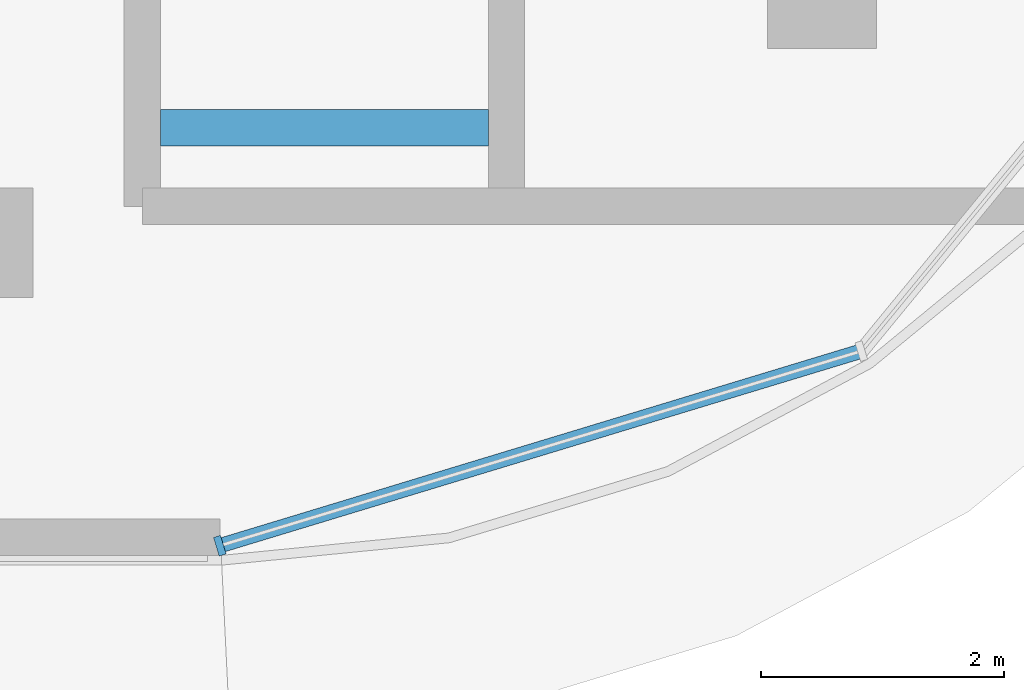
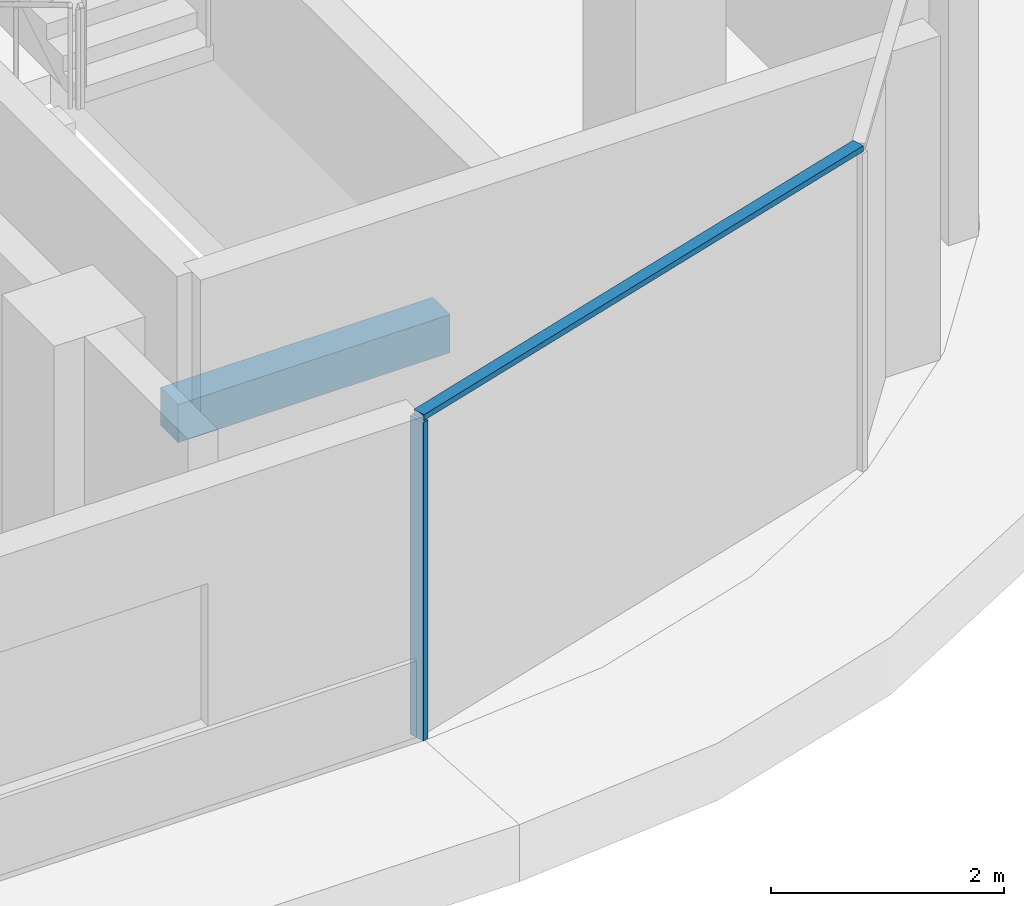
# One storey, part 3 of 20: 2 members, 1 beam, 1 element without a shape of its own.
"""IFC4 building model written with IfcOpenShell, lengths in metres."""

import ifcopenshell
import ifcopenshell.guid

model = None  # the IFC model being written
_history = None  # IfcOwnerHistory: only IFC2X3 demands one
_inside = {}  # id of a spatial element -> (the spatial element, [elements in it])
_under = {}  # id of a project, library or spatial element -> (it, [spatial elements below it])
_declared = {}  # id of a project -> (the project, [libraries it declares])
_typed = {}  # id of a type object -> (the type object, [elements of that type])
_made_of = {}  # id of a material, layer set ... -> (it, [elements and type objects made of it])


def new_model(schema):
    """Start an empty IFC model of exactly this schema.

    Asked for "IFC4X3", IfcOpenShell would pick the latest addendum, in which some entities
    have other attributes; the version numbers below select the first issue.
    IFC2X3 requires an IfcOwnerHistory on every rooted entity: one is made here for all.
    """
    global model, _history
    if schema == "IFC4X3":
        model = ifcopenshell.file(schema_version=(4, 3, 0, 0))
    else:
        model = ifcopenshell.file(schema=schema)
    _inside.clear()
    _under.clear()
    _declared.clear()
    _typed.clear()
    _made_of.clear()
    _history = None
    if model.schema == "IFC2X3":
        org = make("IfcOrganization", Name="unknown")
        user = make(
            "IfcPersonAndOrganization",
            ThePerson=make("IfcPerson", FamilyName="unknown"),
            TheOrganization=org,
        )
        app = make(
            "IfcApplication",
            ApplicationDeveloper=org,
            Version="unknown",
            ApplicationFullName="unknown",
            ApplicationIdentifier="unknown",
        )
        _history = make(
            "IfcOwnerHistory",
            OwningUser=user,
            OwningApplication=app,
            ChangeAction="ADDED",
            CreationDate=0,
        )
    return model


def make(cls, **values):
    """One entity of the class cls with the attributes given. An attribute that is None is left unset."""
    return model.create_entity(
        cls, **{name: value for name, value in values.items() if value is not None}
    )


def rooted(cls, **values):
    """An entity with a GlobalId (a new one), such as an element, a storey or a relation."""
    return make(cls, GlobalId=ifcopenshell.guid.new(), OwnerHistory=_history, **values)


def si_unit(unit_type, name, prefix=None):
    """IfcSIUnit, for example si_unit("LENGTHUNIT", "METRE", prefix="MILLI")."""
    return make("IfcSIUnit", UnitType=unit_type, Prefix=prefix, Name=name)


def assignment(units):
    """IfcUnitAssignment: the units of a project."""
    return None if units is None else make("IfcUnitAssignment", Units=units)


def point(xyz):
    """IfcCartesianPoint."""
    return None if xyz is None else make("IfcCartesianPoint", Coordinates=xyz)


def direction(xyz):
    """IfcDirection."""
    return None if xyz is None else make("IfcDirection", DirectionRatios=xyz)


def frame(location, z_axis=None, x_axis=None):
    """IfcAxis2Placement3D, a coordinate frame: its origin and axes. An axis left out is left unset."""
    return make(
        "IfcAxis2Placement3D",
        Location=point(location),
        Axis=direction(z_axis),
        RefDirection=direction(x_axis),
    )


def frame_2d(location, x_axis=None):
    """IfcAxis2Placement2D, a coordinate frame in the plane: its origin and x axis."""
    return make(
        "IfcAxis2Placement2D", Location=point(location), RefDirection=direction(x_axis)
    )


def origin():
    """The frame at (0, 0, 0) with its axes left unset."""
    return frame((0.0, 0.0, 0.0))


def origin_2d():
    """The frame at (0, 0) in the plane with its x axis left unset."""
    return frame_2d((0.0, 0.0))


def place(relative_to, where):
    """IfcLocalPlacement: puts the frame where relative to a parent placement (None: the world)."""
    return make(
        "IfcLocalPlacement", PlacementRelTo=relative_to, RelativePlacement=where
    )


def context(
    kind, dimensions, precision=None, world=None, true_north=None, identifier=None
):
    """IfcGeometricRepresentationContext, for example the 3D "Model" context."""
    return make(
        "IfcGeometricRepresentationContext",
        ContextIdentifier=identifier,
        ContextType=kind,
        CoordinateSpaceDimension=dimensions,
        Precision=precision,
        WorldCoordinateSystem=world,
        TrueNorth=true_north,
    )


def subcontext(parent, identifier, kind, view, scale=None):
    """IfcGeometricRepresentationSubContext, for example "Body" below "Model"."""
    return make(
        "IfcGeometricRepresentationSubContext",
        ContextIdentifier=identifier,
        ContextType=kind,
        ParentContext=parent,
        TargetScale=scale,
        TargetView=view,
    )


def project(units=None, contexts=None):
    """IfcProject with its units and contexts."""
    return rooted(
        "IfcProject",
        Name="project",
        RepresentationContexts=contexts,
        UnitsInContext=assignment(units),
    )


def spatial(cls, under=None, at=None, **own):
    """A site, building, storey or space (cls), placed at a placement, below another one or the project."""
    s = rooted(cls, ObjectPlacement=at, **own)
    if under is not None:
        _under.setdefault(under.id(), (under, []))[1].append(s)
    return s


def profile(cls, at=None, kind="AREA", **sizes):
    """A parametric profile (cls). Its sizes go by their IFC names, for example OverallWidth=200.0."""
    return make(cls, ProfileType=kind, Position=at, **sizes)


def rectangle(**sizes):
    """IfcRectangleProfileDef."""
    return profile("IfcRectangleProfileDef", **sizes)


def extrude(swept, where, along, depth):
    """IfcExtrudedAreaSolid: the profile swept, set in the frame where, extruded along a direction by depth."""
    return make(
        "IfcExtrudedAreaSolid",
        SweptArea=swept,
        Position=where,
        ExtrudedDirection=direction(along),
        Depth=depth,
    )


def shape(context_of_items, identifier, shape_type, items):
    """IfcShapeRepresentation: the items that make up one representation, for example the "Body"."""
    return make(
        "IfcShapeRepresentation",
        ContextOfItems=context_of_items,
        RepresentationIdentifier=identifier,
        RepresentationType=shape_type,
        Items=items,
    )


def material(Name=None, Category=None):
    """IfcMaterial."""
    return make("IfcMaterial", Name=Name, Category=Category)


def material_profile(
    of_material, cross_section, Name=None, Category=None, Priority=None
):
    """IfcMaterialProfile: a cross section and its material."""
    return make(
        "IfcMaterialProfile",
        Name=Name,
        Material=of_material,
        Profile=cross_section,
        Priority=Priority,
        Category=Category,
    )


def profile_set(profiles, Name=None, composite=None):
    """IfcMaterialProfileSet."""
    return make(
        "IfcMaterialProfileSet",
        Name=Name,
        MaterialProfiles=profiles,
        CompositeProfile=composite,
    )


def made_of(thing, what):
    """Note that an element or type object is made of a material, layer set ...; save() writes the relation."""
    if what is not None:
        _made_of.setdefault(what.id(), (what, []))[1].append(thing)
    return thing


def type_object(cls, material=None, **own):
    """A type object (cls), such as IfcWallType, which elements share."""
    return made_of(rooted(cls, **own), material)


def element(
    cls,
    number,
    at=None,
    inside=None,
    cuts=None,
    type_object=None,
    material=None,
    context=None,
    identifier="Body",
    shape_type=None,
    held_by="IfcProductDefinitionShape",
    body=None,
    shapes=None,
    **own,
):
    """One element of the class cls, such as IfcWall. Its Tag is "e" and its number.

    at: its placement. inside: the storey or other place that contains it. cuts: it is an
    opening in that element (IfcRelVoidsElement). A single representation is given by context,
    identifier, shape_type and body (its items); several are given by shapes. held_by: the class
    of the entity that holds the representations. save() writes the other relations.
    """
    e = rooted(cls, Tag="e%d" % number, ObjectPlacement=at, **own)
    if body is not None:
        shapes = [shape(context, identifier, shape_type, body)]
    if shapes is not None:
        e.Representation = make(held_by, Representations=shapes)
    if inside is not None:
        _inside.setdefault(inside.id(), (inside, []))[1].append(e)
    if cuts is not None:
        rooted(
            "IfcRelVoidsElement", RelatingBuildingElement=cuts, RelatedOpeningElement=e
        )
    if type_object is not None:
        _typed.setdefault(type_object.id(), (type_object, []))[1].append(e)
    return made_of(e, material)


def aggregate(whole, parts):
    """IfcRelAggregates: a whole, such as a stair, and the parts it consists of."""
    return rooted("IfcRelAggregates", RelatingObject=whole, RelatedObjects=parts)


def save(model, path):
    """Write the relations noted so far, then the file.

    IfcRelAggregates (storeys below a building ...), IfcRelContainedInSpatialStructure (elements
    in a storey), IfcRelDefinesByType, IfcRelAssociatesMaterial and IfcRelDeclares: one each for
    every whole, place, type object, material and project.
    """
    for whole, parts in _under.values():
        aggregate(whole, parts)
    for where, things in _inside.values():
        rooted(
            "IfcRelContainedInSpatialStructure",
            RelatedElements=things,
            RelatingStructure=where,
        )
    for kind, things in _typed.values():
        rooted("IfcRelDefinesByType", RelatedObjects=things, RelatingType=kind)
    for what, things in _made_of.values():
        rooted("IfcRelAssociatesMaterial", RelatedObjects=things, RelatingMaterial=what)
    for by, libraries in _declared.values():
        rooted("IfcRelDeclares", RelatingContext=by, RelatedDefinitions=libraries)
    model.write(path)


model = new_model("IFC4")

# Units and contexts
model_context = context("Model", 3, precision=1e-05, world=origin(), true_north=direction((0.0, 1.0)))
body_context = subcontext(model_context, "Body", "Model", "MODEL_VIEW")
ifc_project = project(units=[si_unit("LENGTHUNIT", "METRE"), si_unit("AREAUNIT", "SQUARE_METRE"), si_unit("VOLUMEUNIT", "CUBIC_METRE"), si_unit("PLANEANGLEUNIT", "RADIAN"), si_unit("MASSUNIT", "GRAM", prefix="KILO")], contexts=[model_context])

# Site, building, storey
site_placement = place(None, origin())
site = spatial("IfcSite", under=ifc_project, at=site_placement, CompositionType="ELEMENT")
building_placement = place(site_placement, origin())
building = spatial("IfcBuilding", under=site, at=building_placement, Name="Ogive Portal Towers", CompositionType="ELEMENT")
storey_placement = place(building_placement, frame((0.0, 0.0, 232.800048828125)))
storey = spatial("IfcBuildingStorey", under=building, at=storey_placement, Name="L58", CompositionType="ELEMENT", Elevation=232.800048828125)

# Beam
ifc_material_1 = material(Name="Concrete C40/50", Category="concrete")
ifc_material_profile_1 = material_profile(ifc_material_1, rectangle(XDim=0.300048828125, YDim=0.39990234375, at=origin_2d()), Name="RC 300x400")
ifc_profile_set_1 = profile_set([ifc_material_profile_1], Name="Concrete C40/50")
beam_type = type_object("IfcBeamType", Name="BEAM RC 300x400", PredefinedType="BEAM", material=ifc_profile_set_1)
beam_placement = place(storey_placement, frame((87.0, 22.449951171875, 1.449951171875), z_axis=(1.0, 0.0, 0.0), x_axis=(0.0, 1.0, 0.0)))
element("IfcBeam", 1, at=beam_placement, inside=storey, type_object=beam_type, Name="Landing beam L58", PredefinedType="BEAM", context=body_context, shape_type="SweptSolid", body=[
    extrude(rectangle(XDim=0.300048828125, YDim=0.39990234375, at=origin_2d()), origin(), (0.0, 0.0, 1.0), 2.699951171875),
])

# Curtain wall, members
ifc_material_2 = material(Name="Glass, clear low-iron insulated glazing", Category="glass")
curtain_wall_type = type_object("IfcCurtainWallType", Name="CW FRONT RIBBON 4500", PredefinedType="NOTDEFINED", material=ifc_material_2)
curtain_wall_placement = place(storey_placement, origin())
curtain_wall = element("IfcCurtainWall", 2, at=curtain_wall_placement, inside=storey, type_object=curtain_wall_type, Name="A:L58:f09:cwa", PredefinedType="NOTDEFINED")
ifc_material_3 = material(Name="Aluminium 6063 anodised", Category="aluminium")
ifc_material_profile_2 = material_profile(ifc_material_3, rectangle(XDim=0.159912109375, YDim=0.06005859375, at=origin_2d()), Name="AL 60x160")
ifc_profile_set_2 = profile_set([ifc_material_profile_2], Name="Aluminium 6063 anodised")
member_type_1 = type_object("IfcMemberType", Name="CW MULLION 60x160", PredefinedType="MULLION", material=ifc_profile_set_2)
member_1_placement = place(storey_placement, frame((87.488037109375, 19.0048828125, 0.0), z_axis=(0.0, 0.0, 1.0), x_axis=(-0.290284677254, 0.956940335732, 0.0)))
member_1 = element("IfcMember", 3, at=member_1_placement, type_object=member_type_1, Name="mullion", PredefinedType="MULLION", context=body_context, shape_type="SweptSolid", body=[
    extrude(rectangle(XDim=0.159912109375, YDim=0.06005859375, at=origin_2d()), origin(), (0.0, 0.0, 1.0), 3.33984375),
])
ifc_material_profile_3 = material_profile(ifc_material_3, rectangle(XDim=0.1201171875, YDim=0.06005859375, at=origin_2d()), Name="AL 120x60")
ifc_profile_set_3 = profile_set([ifc_material_profile_3], Name="Aluminium 6063 anodised")
member_type_2 = type_object("IfcMemberType", Name="CW TRANSOM 60x120", PredefinedType="USERDEFINED", material=ifc_profile_set_3)
member_2_placement = place(storey_placement, frame((87.488037109375, 19.0048828125, 3.369873046875), z_axis=(0.956938481614, 0.290290789392, 0.0), x_axis=(-0.290290789392, 0.956938481614, 0.0)))
member_2 = element("IfcMember", 4, at=member_2_placement, type_object=member_type_2, Name="transom", ObjectType="TRANSOM", PredefinedType="USERDEFINED", context=body_context, shape_type="SweptSolid", body=[
    extrude(rectangle(XDim=0.1201171875, YDim=0.06005859375, at=origin_2d()), origin(), (0.0, 0.0, 1.0), 5.52294921875),
])
aggregate(curtain_wall, [member_2, member_1])

save(model, "model.ifc")
